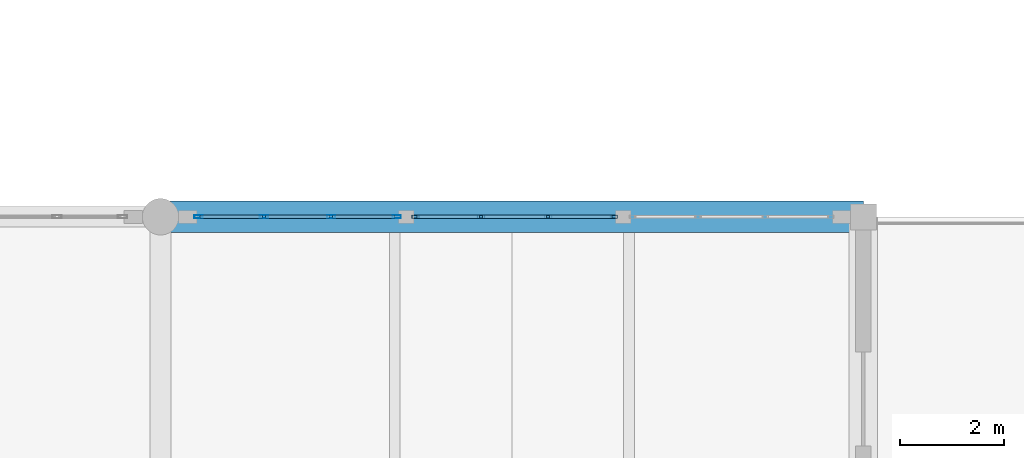
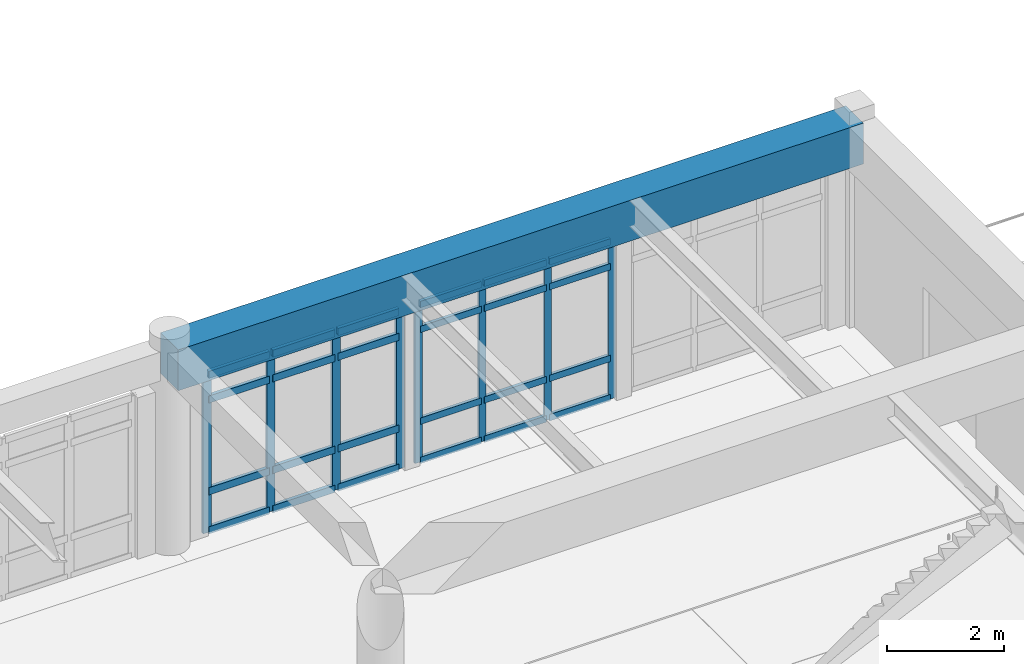
# One storey, part 32 of 109: 32 members, 1 beam, 2 elements without a shape of their own.
"""IFC4 building model written with IfcOpenShell, lengths in metres."""

from ifc_helpers import new_model, si_unit, direction, frame, origin, origin_2d, place, context, subcontext, project, spatial, rectangle, hollow_rectangle, extrude, material, layer, layer_set, material_profile, profile_set, type_object, element, aggregate, save


model = new_model("IFC4")

# Units and contexts
model_context = context("Model", 3, precision=1e-05, world=origin(), true_north=direction((0.0, 1.0)))
body_context = subcontext(model_context, "Body", "Model", "MODEL_VIEW")
ifc_project = project(units=[si_unit("LENGTHUNIT", "METRE"), si_unit("AREAUNIT", "SQUARE_METRE"), si_unit("VOLUMEUNIT", "CUBIC_METRE"), si_unit("PLANEANGLEUNIT", "RADIAN"), si_unit("MASSUNIT", "GRAM", prefix="KILO")], contexts=[model_context])

# Site, building, storey
site_placement = place(None, origin())
site = spatial("IfcSite", under=ifc_project, at=site_placement, CompositionType="ELEMENT")
building_placement = place(site_placement, origin())
building = spatial("IfcBuilding", under=site, at=building_placement, Name="Fikremerkos Civic Library", CompositionType="ELEMENT")
storey_placement = place(building_placement, frame((0.0, 0.0, 5.39990234375)))
storey = spatial("IfcBuildingStorey", under=building, at=storey_placement, Name="L01", CompositionType="ELEMENT", Elevation=5.39990234375)

# Curtain wall, members
ifc_material_1 = material(Name="Anodized aluminium Frame", Category="aluminium")
ifc_layer_1 = layer(ifc_material_1, 0.159912109375, Name="Anodized aluminium Frame")
ifc_layer_set_1 = layer_set([ifc_layer_1], Name="Anodized aluminium Frame")
curtain_wall_type_1 = type_object("IfcCurtainWallType", Name="Unitised curtain wall CW-02 3900x3600", PredefinedType="USERDEFINED", material=ifc_layer_set_1)
curtain_wall_1_placement = place(storey_placement, origin())
curtain_wall_1 = element("IfcCurtainWall", 1, at=curtain_wall_1_placement, inside=storey, type_object=curtain_wall_type_1, Name="Unitised curtain wall CW-02 L01 #92", ObjectType="UNITISED CURTAIN WALL", PredefinedType="USERDEFINED")
ifc_material_profile_1 = material_profile(ifc_material_1, hollow_rectangle(XDim=0.06005859375, YDim=0.159912109375, WallThickness=0.00390625, at=origin_2d()), Name="ALU 160x60x4")
ifc_profile_set_1 = profile_set([ifc_material_profile_1], Name="Anodized aluminium Frame")
member_type_1 = type_object("IfcMemberType", Name="Curtain mullion CWM-02 ALU 160x60x4", PredefinedType="MULLION", material=ifc_profile_set_1)
member_1_placement = place(storey_placement, frame((87.427978515625, 48.0, 0.0), z_axis=(0.0, 0.0, 1.0), x_axis=(0.0, 1.0, 0.0)))
member_1 = element("IfcMember", 2, at=member_1_placement, type_object=member_type_1, Name="CW-02 mullion 1", PredefinedType="MULLION", context=body_context, shape_type="SweptSolid", body=[
    extrude(hollow_rectangle(XDim=0.06005859375, YDim=0.159912109375, WallThickness=0.00390625, at=origin_2d()), origin(), (0.0, 0.0, 1.0), 3.31005859375),
])
member_2_placement = place(storey_placement, frame((88.687255859375, 48.0, 0.0), z_axis=(0.0, 0.0, 1.0), x_axis=(0.0, 1.0, 0.0)))
member_2 = element("IfcMember", 3, at=member_2_placement, type_object=member_type_1, Name="CW-02 mullion 2", PredefinedType="MULLION", context=body_context, shape_type="SweptSolid", body=[
    extrude(hollow_rectangle(XDim=0.06005859375, YDim=0.159912109375, WallThickness=0.00390625, at=origin_2d()), origin(), (0.0, 0.0, 1.0), 3.31005859375),
])
member_3_placement = place(storey_placement, frame((89.9765625, 48.0, 0.0), z_axis=(0.0, 0.0, 1.0), x_axis=(0.0, 1.0, 0.0)))
member_3 = element("IfcMember", 4, at=member_3_placement, type_object=member_type_1, Name="CW-02 mullion 3", PredefinedType="MULLION", context=body_context, shape_type="SweptSolid", body=[
    extrude(hollow_rectangle(XDim=0.06005859375, YDim=0.159912109375, WallThickness=0.00390625, at=origin_2d()), origin(), (0.0, 0.0, 1.0), 3.31005859375),
])
member_4_placement = place(storey_placement, frame((91.236083984375, 48.0, 0.0), z_axis=(0.0, 0.0, 1.0), x_axis=(0.0, 1.0, 0.0)))
member_4 = element("IfcMember", 5, at=member_4_placement, type_object=member_type_1, Name="CW-02 mullion 4", PredefinedType="MULLION", context=body_context, shape_type="SweptSolid", body=[
    extrude(hollow_rectangle(XDim=0.06005859375, YDim=0.159912109375, WallThickness=0.00390625, at=origin_2d()), origin(), (0.0, 0.0, 1.0), 3.31005859375),
])

ifc_layer_2 = layer(ifc_material_1, 0.159912109375, Name="Anodized aluminium Frame")
ifc_layer_set_2 = layer_set([ifc_layer_2], Name="Anodized aluminium Frame")
curtain_wall_type_2 = type_object("IfcCurtainWallType", Name="Unitised curtain wall CW-03 4100x3600", PredefinedType="USERDEFINED", material=ifc_layer_set_2)
curtain_wall_2_placement = place(storey_placement, origin())
curtain_wall_2 = element("IfcCurtainWall", 6, at=curtain_wall_2_placement, inside=storey, type_object=curtain_wall_type_2, Name="Unitised curtain wall CW-03 L01 #93", ObjectType="UNITISED CURTAIN WALL", PredefinedType="USERDEFINED")
ifc_material_profile_2 = material_profile(ifc_material_1, hollow_rectangle(XDim=0.06005859375, YDim=0.139892578125, WallThickness=0.00390625, at=origin_2d()), Name="ALU 140x60x4")
ifc_profile_set_2 = profile_set([ifc_material_profile_2], Name="Anodized aluminium Frame")
member_type_2 = type_object("IfcMemberType", Name="Curtain mullion CWM-03 ALU 140x60x4", PredefinedType="MULLION", material=ifc_profile_set_2)
member_5_placement = place(storey_placement, frame((91.595947265625, 48.0, 0.0), z_axis=(0.0, 0.0, 1.0), x_axis=(0.0, 1.0, 0.0)))
member_5 = element("IfcMember", 7, at=member_5_placement, type_object=member_type_2, Name="CW-03 mullion 1", PredefinedType="MULLION", context=body_context, shape_type="SweptSolid", body=[
    extrude(hollow_rectangle(XDim=0.06005859375, YDim=0.139892578125, WallThickness=0.00390625, at=origin_2d()), origin(), (0.0, 0.0, 1.0), 3.31005859375),
])
member_6_placement = place(storey_placement, frame((92.855224609375, 48.0, 0.0), z_axis=(0.0, 0.0, 1.0), x_axis=(0.0, 1.0, 0.0)))
member_6 = element("IfcMember", 8, at=member_6_placement, type_object=member_type_2, Name="CW-03 mullion 2", PredefinedType="MULLION", context=body_context, shape_type="SweptSolid", body=[
    extrude(hollow_rectangle(XDim=0.06005859375, YDim=0.139892578125, WallThickness=0.00390625, at=origin_2d()), origin(), (0.0, 0.0, 1.0), 3.31005859375),
])
member_7_placement = place(storey_placement, frame((94.144775390625, 48.0, 0.0), z_axis=(0.0, 0.0, 1.0), x_axis=(0.0, 1.0, 0.0)))
member_7 = element("IfcMember", 9, at=member_7_placement, type_object=member_type_2, Name="CW-03 mullion 3", PredefinedType="MULLION", context=body_context, shape_type="SweptSolid", body=[
    extrude(hollow_rectangle(XDim=0.06005859375, YDim=0.139892578125, WallThickness=0.00390625, at=origin_2d()), origin(), (0.0, 0.0, 1.0), 3.31005859375),
])
member_8_placement = place(storey_placement, frame((95.404052734375, 48.0, 0.0), z_axis=(0.0, 0.0, 1.0), x_axis=(0.0, 1.0, 0.0)))
member_8 = element("IfcMember", 10, at=member_8_placement, type_object=member_type_2, Name="CW-03 mullion 4", PredefinedType="MULLION", context=body_context, shape_type="SweptSolid", body=[
    extrude(hollow_rectangle(XDim=0.06005859375, YDim=0.139892578125, WallThickness=0.00390625, at=origin_2d()), origin(), (0.0, 0.0, 1.0), 3.31005859375),
])

# Member
ifc_material_profile_3 = material_profile(ifc_material_1, hollow_rectangle(XDim=0.070068359375, YDim=0.14990234375, WallThickness=0.00439453125, at=origin_2d()), Name="ALU 150x70x4.5")
ifc_profile_set_3 = profile_set([ifc_material_profile_3], Name="Anodized aluminium Frame")
member_type_3 = type_object("IfcMemberType", Name="Curtain transom CWT-01 ALU 150x70x4.5", PredefinedType="USERDEFINED", material=ifc_profile_set_3)
member_9_placement = place(storey_placement, frame((87.4580078125, 48.0, 0.03515625), z_axis=(1.0, 0.0, 0.0), x_axis=(0.0, 1.0, 0.0)))
member_9 = element("IfcMember", 11, at=member_9_placement, type_object=member_type_3, Name="CW-02 transom 1.1", ObjectType="TRANSOM", PredefinedType="USERDEFINED", context=body_context, shape_type="SweptSolid", body=[
    extrude(hollow_rectangle(XDim=0.070068359375, YDim=0.14990234375, WallThickness=0.00439453125, at=origin_2d()), origin(), (0.0, 0.0, 1.0), 1.19921875),
])

member_10_placement = place(storey_placement, frame((87.4580078125, 48.0, 0.85009765625), z_axis=(1.0, 0.0, 0.0), x_axis=(0.0, 1.0, 0.0)))
member_10 = element("IfcMember", 12, at=member_10_placement, type_object=member_type_3, Name="CW-02 transom 1.2", ObjectType="TRANSOM", PredefinedType="USERDEFINED", context=body_context, shape_type="SweptSolid", body=[
    extrude(hollow_rectangle(XDim=0.070068359375, YDim=0.14990234375, WallThickness=0.00439453125, at=origin_2d()), origin(), (0.0, 0.0, 1.0), 1.19921875),
])

member_11_placement = place(storey_placement, frame((87.4580078125, 48.0, 2.760009765625), z_axis=(1.0, 0.0, 0.0), x_axis=(0.0, 1.0, 0.0)))
member_11 = element("IfcMember", 13, at=member_11_placement, type_object=member_type_3, Name="CW-02 transom 1.3", ObjectType="TRANSOM", PredefinedType="USERDEFINED", context=body_context, shape_type="SweptSolid", body=[
    extrude(hollow_rectangle(XDim=0.070068359375, YDim=0.14990234375, WallThickness=0.00439453125, at=origin_2d()), origin(), (0.0, 0.0, 1.0), 1.19921875),
])

member_12_placement = place(storey_placement, frame((87.4580078125, 48.0, 3.275146484375), z_axis=(1.0, 0.0, 0.0), x_axis=(0.0, 1.0, 0.0)))
member_12 = element("IfcMember", 14, at=member_12_placement, type_object=member_type_3, Name="CW-02 transom 1.4", ObjectType="TRANSOM", PredefinedType="USERDEFINED", context=body_context, shape_type="SweptSolid", body=[
    extrude(hollow_rectangle(XDim=0.070068359375, YDim=0.14990234375, WallThickness=0.00439453125, at=origin_2d()), origin(), (0.0, 0.0, 1.0), 1.19921875),
])

member_13_placement = place(storey_placement, frame((88.71728515625, 48.0, 0.03515625), z_axis=(1.0, 0.0, 0.0), x_axis=(0.0, 1.0, 0.0)))
member_13 = element("IfcMember", 15, at=member_13_placement, type_object=member_type_3, Name="CW-02 transom 2.1", ObjectType="TRANSOM", PredefinedType="USERDEFINED", context=body_context, shape_type="SweptSolid", body=[
    extrude(hollow_rectangle(XDim=0.070068359375, YDim=0.14990234375, WallThickness=0.00439453125, at=origin_2d()), origin(), (0.0, 0.0, 1.0), 1.2294921875),
])

member_14_placement = place(storey_placement, frame((88.71728515625, 48.0, 0.85009765625), z_axis=(1.0, 0.0, 0.0), x_axis=(0.0, 1.0, 0.0)))
member_14 = element("IfcMember", 16, at=member_14_placement, type_object=member_type_3, Name="CW-02 transom 2.2", ObjectType="TRANSOM", PredefinedType="USERDEFINED", context=body_context, shape_type="SweptSolid", body=[
    extrude(hollow_rectangle(XDim=0.070068359375, YDim=0.14990234375, WallThickness=0.00439453125, at=origin_2d()), origin(), (0.0, 0.0, 1.0), 1.2294921875),
])

member_15_placement = place(storey_placement, frame((88.71728515625, 48.0, 2.760009765625), z_axis=(1.0, 0.0, 0.0), x_axis=(0.0, 1.0, 0.0)))
member_15 = element("IfcMember", 17, at=member_15_placement, type_object=member_type_3, Name="CW-02 transom 2.3", ObjectType="TRANSOM", PredefinedType="USERDEFINED", context=body_context, shape_type="SweptSolid", body=[
    extrude(hollow_rectangle(XDim=0.070068359375, YDim=0.14990234375, WallThickness=0.00439453125, at=origin_2d()), origin(), (0.0, 0.0, 1.0), 1.2294921875),
])

member_16_placement = place(storey_placement, frame((88.71728515625, 48.0, 3.275146484375), z_axis=(1.0, 0.0, 0.0), x_axis=(0.0, 1.0, 0.0)))
member_16 = element("IfcMember", 18, at=member_16_placement, type_object=member_type_3, Name="CW-02 transom 2.4", ObjectType="TRANSOM", PredefinedType="USERDEFINED", context=body_context, shape_type="SweptSolid", body=[
    extrude(hollow_rectangle(XDim=0.070068359375, YDim=0.14990234375, WallThickness=0.00439453125, at=origin_2d()), origin(), (0.0, 0.0, 1.0), 1.2294921875),
])

member_17_placement = place(storey_placement, frame((90.006591796875, 48.0, 0.03515625), z_axis=(1.0, 0.0, 0.0), x_axis=(0.0, 1.0, 0.0)))
member_17 = element("IfcMember", 19, at=member_17_placement, type_object=member_type_3, Name="CW-02 transom 3.1", ObjectType="TRANSOM", PredefinedType="USERDEFINED", context=body_context, shape_type="SweptSolid", body=[
    extrude(hollow_rectangle(XDim=0.070068359375, YDim=0.14990234375, WallThickness=0.00439453125, at=origin_2d()), origin(), (0.0, 0.0, 1.0), 1.199462890625),
])

member_18_placement = place(storey_placement, frame((90.006591796875, 48.0, 0.85009765625), z_axis=(1.0, 0.0, 0.0), x_axis=(0.0, 1.0, 0.0)))
member_18 = element("IfcMember", 20, at=member_18_placement, type_object=member_type_3, Name="CW-02 transom 3.2", ObjectType="TRANSOM", PredefinedType="USERDEFINED", context=body_context, shape_type="SweptSolid", body=[
    extrude(hollow_rectangle(XDim=0.070068359375, YDim=0.14990234375, WallThickness=0.00439453125, at=origin_2d()), origin(), (0.0, 0.0, 1.0), 1.199462890625),
])

member_19_placement = place(storey_placement, frame((90.006591796875, 48.0, 2.760009765625), z_axis=(1.0, 0.0, 0.0), x_axis=(0.0, 1.0, 0.0)))
member_19 = element("IfcMember", 21, at=member_19_placement, type_object=member_type_3, Name="CW-02 transom 3.3", ObjectType="TRANSOM", PredefinedType="USERDEFINED", context=body_context, shape_type="SweptSolid", body=[
    extrude(hollow_rectangle(XDim=0.070068359375, YDim=0.14990234375, WallThickness=0.00439453125, at=origin_2d()), origin(), (0.0, 0.0, 1.0), 1.199462890625),
])

member_20_placement = place(storey_placement, frame((90.006591796875, 48.0, 3.275146484375), z_axis=(1.0, 0.0, 0.0), x_axis=(0.0, 1.0, 0.0)))
member_20 = element("IfcMember", 22, at=member_20_placement, type_object=member_type_3, Name="CW-02 transom 3.4", ObjectType="TRANSOM", PredefinedType="USERDEFINED", context=body_context, shape_type="SweptSolid", body=[
    extrude(hollow_rectangle(XDim=0.070068359375, YDim=0.14990234375, WallThickness=0.00439453125, at=origin_2d()), origin(), (0.0, 0.0, 1.0), 1.199462890625),
])

aggregate(curtain_wall_1, [member_1, member_2, member_3, member_4, member_9, member_10, member_11, member_12, member_13, member_14, member_15, member_16, member_17, member_18, member_19, member_20])

ifc_material_profile_4 = material_profile(ifc_material_1, hollow_rectangle(XDim=0.06494140625, YDim=0.135009765625, WallThickness=0.00439453125, at=origin_2d()), Name="ALU 135x65x4.5")
ifc_profile_set_4 = profile_set([ifc_material_profile_4], Name="Anodized aluminium Frame")
member_type_4 = type_object("IfcMemberType", Name="Curtain transom CWT-02 ALU 135x65x4.5", PredefinedType="USERDEFINED", material=ifc_profile_set_4)
member_21_placement = place(storey_placement, frame((91.6259765625, 48.0, 0.03271484375), z_axis=(1.0, 0.0, 0.0), x_axis=(0.0, 1.0, 0.0)))
member_21 = element("IfcMember", 23, at=member_21_placement, type_object=member_type_4, Name="CW-03 transom 1.1", ObjectType="TRANSOM", PredefinedType="USERDEFINED", context=body_context, shape_type="SweptSolid", body=[
    extrude(hollow_rectangle(XDim=0.06494140625, YDim=0.135009765625, WallThickness=0.00439453125, at=origin_2d()), origin(), (0.0, 0.0, 1.0), 1.199462890625),
])

member_22_placement = place(storey_placement, frame((91.6259765625, 48.0, 0.85009765625), z_axis=(1.0, 0.0, 0.0), x_axis=(0.0, 1.0, 0.0)))
member_22 = element("IfcMember", 24, at=member_22_placement, type_object=member_type_4, Name="CW-03 transom 1.2", ObjectType="TRANSOM", PredefinedType="USERDEFINED", context=body_context, shape_type="SweptSolid", body=[
    extrude(hollow_rectangle(XDim=0.06494140625, YDim=0.135009765625, WallThickness=0.00439453125, at=origin_2d()), origin(), (0.0, 0.0, 1.0), 1.199462890625),
])

member_23_placement = place(storey_placement, frame((91.6259765625, 48.0, 2.760009765625), z_axis=(1.0, 0.0, 0.0), x_axis=(0.0, 1.0, 0.0)))
member_23 = element("IfcMember", 25, at=member_23_placement, type_object=member_type_4, Name="CW-03 transom 1.3", ObjectType="TRANSOM", PredefinedType="USERDEFINED", context=body_context, shape_type="SweptSolid", body=[
    extrude(hollow_rectangle(XDim=0.06494140625, YDim=0.135009765625, WallThickness=0.00439453125, at=origin_2d()), origin(), (0.0, 0.0, 1.0), 1.199462890625),
])

member_24_placement = place(storey_placement, frame((91.6259765625, 48.0, 3.277587890625), z_axis=(1.0, 0.0, 0.0), x_axis=(0.0, 1.0, 0.0)))
member_24 = element("IfcMember", 26, at=member_24_placement, type_object=member_type_4, Name="CW-03 transom 1.4", ObjectType="TRANSOM", PredefinedType="USERDEFINED", context=body_context, shape_type="SweptSolid", body=[
    extrude(hollow_rectangle(XDim=0.06494140625, YDim=0.135009765625, WallThickness=0.00439453125, at=origin_2d()), origin(), (0.0, 0.0, 1.0), 1.199462890625),
])

member_25_placement = place(storey_placement, frame((92.88525390625, 48.0, 0.03271484375), z_axis=(1.0, 0.0, 0.0), x_axis=(0.0, 1.0, 0.0)))
member_25 = element("IfcMember", 27, at=member_25_placement, type_object=member_type_4, Name="CW-03 transom 2.1", ObjectType="TRANSOM", PredefinedType="USERDEFINED", context=body_context, shape_type="SweptSolid", body=[
    extrude(hollow_rectangle(XDim=0.06494140625, YDim=0.135009765625, WallThickness=0.00439453125, at=origin_2d()), origin(), (0.0, 0.0, 1.0), 1.2294921875),
])

member_26_placement = place(storey_placement, frame((92.88525390625, 48.0, 0.85009765625), z_axis=(1.0, 0.0, 0.0), x_axis=(0.0, 1.0, 0.0)))
member_26 = element("IfcMember", 28, at=member_26_placement, type_object=member_type_4, Name="CW-03 transom 2.2", ObjectType="TRANSOM", PredefinedType="USERDEFINED", context=body_context, shape_type="SweptSolid", body=[
    extrude(hollow_rectangle(XDim=0.06494140625, YDim=0.135009765625, WallThickness=0.00439453125, at=origin_2d()), origin(), (0.0, 0.0, 1.0), 1.2294921875),
])

member_27_placement = place(storey_placement, frame((92.88525390625, 48.0, 2.760009765625), z_axis=(1.0, 0.0, 0.0), x_axis=(0.0, 1.0, 0.0)))
member_27 = element("IfcMember", 29, at=member_27_placement, type_object=member_type_4, Name="CW-03 transom 2.3", ObjectType="TRANSOM", PredefinedType="USERDEFINED", context=body_context, shape_type="SweptSolid", body=[
    extrude(hollow_rectangle(XDim=0.06494140625, YDim=0.135009765625, WallThickness=0.00439453125, at=origin_2d()), origin(), (0.0, 0.0, 1.0), 1.2294921875),
])

member_28_placement = place(storey_placement, frame((92.88525390625, 48.0, 3.277587890625), z_axis=(1.0, 0.0, 0.0), x_axis=(0.0, 1.0, 0.0)))
member_28 = element("IfcMember", 30, at=member_28_placement, type_object=member_type_4, Name="CW-03 transom 2.4", ObjectType="TRANSOM", PredefinedType="USERDEFINED", context=body_context, shape_type="SweptSolid", body=[
    extrude(hollow_rectangle(XDim=0.06494140625, YDim=0.135009765625, WallThickness=0.00439453125, at=origin_2d()), origin(), (0.0, 0.0, 1.0), 1.2294921875),
])

member_29_placement = place(storey_placement, frame((94.174560546875, 48.0, 0.03271484375), z_axis=(1.0, 0.0, 0.0), x_axis=(0.0, 1.0, 0.0)))
member_29 = element("IfcMember", 31, at=member_29_placement, type_object=member_type_4, Name="CW-03 transom 3.1", ObjectType="TRANSOM", PredefinedType="USERDEFINED", context=body_context, shape_type="SweptSolid", body=[
    extrude(hollow_rectangle(XDim=0.06494140625, YDim=0.135009765625, WallThickness=0.00439453125, at=origin_2d()), origin(), (0.0, 0.0, 1.0), 1.199462890625),
])

member_30_placement = place(storey_placement, frame((94.174560546875, 48.0, 0.85009765625), z_axis=(1.0, 0.0, 0.0), x_axis=(0.0, 1.0, 0.0)))
member_30 = element("IfcMember", 32, at=member_30_placement, type_object=member_type_4, Name="CW-03 transom 3.2", ObjectType="TRANSOM", PredefinedType="USERDEFINED", context=body_context, shape_type="SweptSolid", body=[
    extrude(hollow_rectangle(XDim=0.06494140625, YDim=0.135009765625, WallThickness=0.00439453125, at=origin_2d()), origin(), (0.0, 0.0, 1.0), 1.199462890625),
])

member_31_placement = place(storey_placement, frame((94.174560546875, 48.0, 2.760009765625), z_axis=(1.0, 0.0, 0.0), x_axis=(0.0, 1.0, 0.0)))
member_31 = element("IfcMember", 33, at=member_31_placement, type_object=member_type_4, Name="CW-03 transom 3.3", ObjectType="TRANSOM", PredefinedType="USERDEFINED", context=body_context, shape_type="SweptSolid", body=[
    extrude(hollow_rectangle(XDim=0.06494140625, YDim=0.135009765625, WallThickness=0.00439453125, at=origin_2d()), origin(), (0.0, 0.0, 1.0), 1.199462890625),
])

member_32_placement = place(storey_placement, frame((94.174560546875, 48.0, 3.277587890625), z_axis=(1.0, 0.0, 0.0), x_axis=(0.0, 1.0, 0.0)))
member_32 = element("IfcMember", 34, at=member_32_placement, type_object=member_type_4, Name="CW-03 transom 3.4", ObjectType="TRANSOM", PredefinedType="USERDEFINED", context=body_context, shape_type="SweptSolid", body=[
    extrude(hollow_rectangle(XDim=0.06494140625, YDim=0.135009765625, WallThickness=0.00439453125, at=origin_2d()), origin(), (0.0, 0.0, 1.0), 1.199462890625),
])

aggregate(curtain_wall_2, [member_5, member_6, member_7, member_8, member_21, member_22, member_23, member_24, member_25, member_26, member_27, member_28, member_29, member_30, member_31, member_32])

# Beam
ifc_material_2 = material(Name="Concrete C40/50", Category="concrete")
ifc_material_profile_5 = material_profile(ifc_material_2, rectangle(XDim=0.60009765625, YDim=0.85009765625, at=origin_2d()), Name="RC 600x850")
ifc_profile_set_5 = profile_set([ifc_material_profile_5], Name="Concrete C40/50")
beam_type = type_object("IfcBeamType", Name="Primary girder BM-24 RC 600x850", PredefinedType="BEAM", material=ifc_profile_set_5)
beam_placement = place(storey_placement, frame((86.699951171875, 48.0, 3.795166015625), z_axis=(1.0, 0.0, 0.0), x_axis=(0.0, 1.0, 0.0)))
element("IfcBeam", 35, at=beam_placement, inside=storey, type_object=beam_type, Name="Primary girder BM-24 L01 grid J", PredefinedType="BEAM", context=body_context, shape_type="SweptSolid", body=[
    extrude(rectangle(XDim=0.60009765625, YDim=0.85009765625, at=origin_2d()), origin(), (0.0, 0.0, 1.0), 13.5),
])

save(model, "model.ifc")
